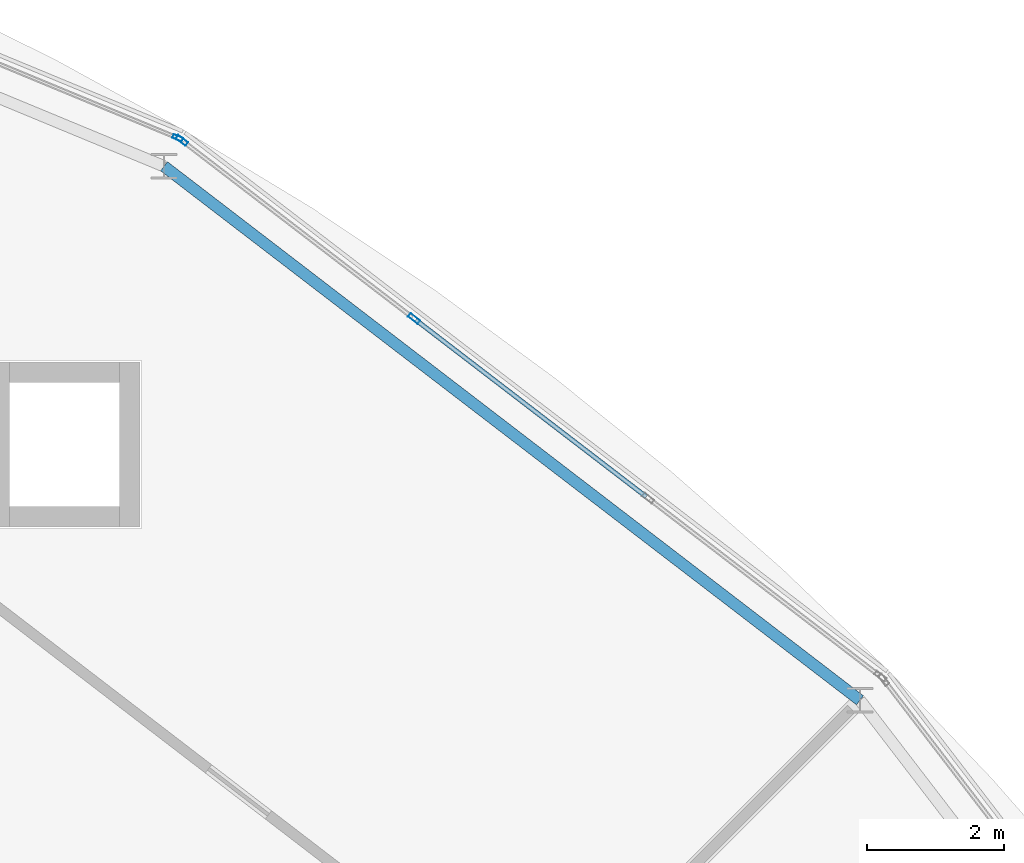
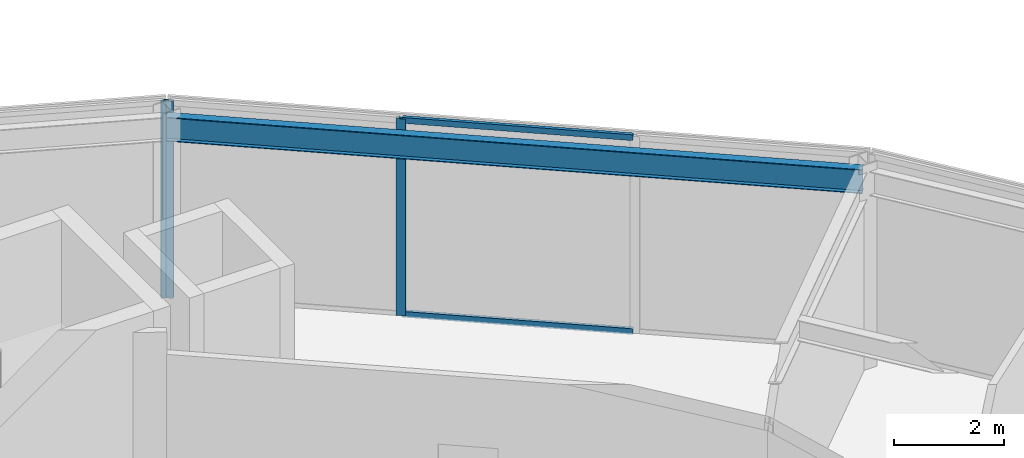
# One storey, part 85 of 157: 5 members, 1 beam, 2 elements without a shape of their own.
"""IFC4 building model written with IfcOpenShell, lengths in metres."""

from ifc_helpers import new_model, si_unit, direction, frame, origin, origin_2d, place, context, subcontext, project, spatial, hollow_rectangle, i_section, extrude, material, material_profile, profile_set, type_object, element, aggregate, save


model = new_model("IFC4")

# Units and contexts
model_context = context("Model", 3, precision=1e-05, world=origin(), true_north=direction((0.0, 1.0)))
body_context = subcontext(model_context, "Body", "Model", "MODEL_VIEW")
ifc_project = project(units=[si_unit("LENGTHUNIT", "METRE"), si_unit("AREAUNIT", "SQUARE_METRE"), si_unit("VOLUMEUNIT", "CUBIC_METRE"), si_unit("PLANEANGLEUNIT", "RADIAN"), si_unit("MASSUNIT", "GRAM", prefix="KILO")], contexts=[model_context])

# Site, building, storey
site_placement = place(None, origin())
site = spatial("IfcSite", under=ifc_project, at=site_placement, CompositionType="ELEMENT")
building_placement = place(site_placement, origin())
building = spatial("IfcBuilding", under=site, at=building_placement, Name="Almandine Court Research Institute", CompositionType="ELEMENT")
storey_placement = place(building_placement, frame((0.0, 0.0, 5.25)))
storey = spatial("IfcBuildingStorey", under=building, at=storey_placement, Name="L01", CompositionType="ELEMENT", Elevation=5.25)

# Beam
ifc_material_1 = material(Name="Steel ASTM A992 Grade 50", Category="steel")
ifc_material_profile_1 = material_profile(ifc_material_1, i_section(OverallWidth=0.166015625, OverallDepth=0.534912109375, WebThickness=0.010009765625, FlangeThickness=0.01708984375, at=origin_2d()), Name="W530x85")
ifc_profile_set_1 = profile_set([ifc_material_profile_1], Name="Steel ASTM A992 Grade 50")
beam_type = type_object("IfcBeamType", Name="Beam-G-05-E", PredefinedType="SPANDREL", material=ifc_profile_set_1)
beam_placement = place(storey_placement, frame((121.577880859375, 90.577880859375, 4.10205078125), z_axis=(-0.793360662587, 0.608751886289, 0.0), x_axis=(-0.608751886289, -0.793360662587, 0.0)))
element("IfcBeam", 1, at=beam_placement, inside=storey, type_object=beam_type, Name="L01 Drum OUT Ring Beam 03", PredefinedType="SPANDREL", context=body_context, shape_type="SweptSolid", body=[
    extrude(i_section(OverallWidth=0.166015625, OverallDepth=0.534912109375, WebThickness=0.010009765625, FlangeThickness=0.01708984375, at=origin_2d()), origin(), (0.0, 0.0, 1.0), 12.765869140625),
])

# Curtain wall, member
ifc_material_2 = material(Name="Unitised Curtain Wall Framing and Solar Glazing", Category="glass")
curtain_wall_type_1 = type_object("IfcCurtainWallType", Name="CW-CWG-20", PredefinedType="USERDEFINED", material=ifc_material_2)
curtain_wall_1_placement = place(storey_placement, origin())
curtain_wall_1 = element("IfcCurtainWall", 2, at=curtain_wall_1_placement, inside=storey, type_object=curtain_wall_type_1, Name="L01 Stacked-Ring Drum Outer Unitised Glazing 04", ObjectType="UNITISED GLAZING", PredefinedType="USERDEFINED")
ifc_material_3 = material(Name="Anodised Aluminium AW-6063-T6", Category="aluminium")
ifc_material_profile_2 = material_profile(ifc_material_3, hollow_rectangle(XDim=0.06005859375, YDim=0.14990234375, WallThickness=0.00390625, at=origin_2d()), Name="ALU RHS 60x150x4")
ifc_profile_set_2 = profile_set([ifc_material_profile_2], Name="Anodised Aluminium AW-6063-T6")
member_type_1 = type_object("IfcMemberType", Name="CWMul-60x150", PredefinedType="MULLION", material=ifc_profile_set_2)
member_1_placement = place(storey_placement, frame((111.649169921875, 98.760498046875, 0.0), z_axis=(0.0, 0.0, 1.0), x_axis=(0.382662689242, 0.923888124321, 0.0)))
member_1 = element("IfcMember", 3, at=member_1_placement, type_object=member_type_1, Name="CWG-20 mullion 4", PredefinedType="MULLION", context=body_context, shape_type="SweptSolid", body=[
    extrude(hollow_rectangle(XDim=0.06005859375, YDim=0.14990234375, WallThickness=0.00390625, at=origin_2d()), origin(), (0.0, 0.0, 1.0), 4.3701171875),
])
aggregate(curtain_wall_1, [member_1])

# Curtain wall, members
curtain_wall_type_2 = type_object("IfcCurtainWallType", Name="CW-CWJ-19", PredefinedType="USERDEFINED", material=ifc_material_2)
curtain_wall_2_placement = place(storey_placement, origin())
curtain_wall_2 = element("IfcCurtainWall", 4, at=curtain_wall_2_placement, inside=storey, type_object=curtain_wall_type_2, Name="L01 Stacked-Ring Drum Outer Solar Jali Screen 03", ObjectType="SOLAR JALI SCREEN", PredefinedType="USERDEFINED")
ifc_material_profile_3 = material_profile(ifc_material_3, hollow_rectangle(XDim=0.06494140625, YDim=0.179931640625, WallThickness=0.00390625, at=origin_2d()), Name="ALU RHS 65x180x4")
ifc_profile_set_3 = profile_set([ifc_material_profile_3], Name="Anodised Aluminium AW-6063-T6")
member_type_2 = type_object("IfcMemberType", Name="CWMul-65x180", PredefinedType="MULLION", material=ifc_profile_set_3)
member_2_placement = place(storey_placement, frame((111.708740234375, 98.72509765625, 0.0), z_axis=(0.0, 0.0, 1.0), x_axis=(0.608723313303, 0.793382586046, 0.0)))
member_2 = element("IfcMember", 5, at=member_2_placement, type_object=member_type_2, Name="CWJ-19 mullion 1", PredefinedType="MULLION", context=body_context, shape_type="SweptSolid", body=[
    extrude(hollow_rectangle(XDim=0.06494140625, YDim=0.179931640625, WallThickness=0.00390625, at=origin_2d()), origin(), (0.0, 0.0, 1.0), 4.3701171875),
])
member_3_placement = place(storey_placement, frame((115.088623046875, 96.132080078125, 0.0), z_axis=(0.0, 0.0, 1.0), x_axis=(0.608723313303, 0.793382586046, 0.0)))
member_3 = element("IfcMember", 6, at=member_3_placement, type_object=member_type_2, Name="CWJ-19 mullion 2", PredefinedType="MULLION", context=body_context, shape_type="SweptSolid", body=[
    extrude(hollow_rectangle(XDim=0.06494140625, YDim=0.179931640625, WallThickness=0.00390625, at=origin_2d()), origin(), (0.0, 0.0, 1.0), 4.3701171875),
])
ifc_material_profile_4 = material_profile(ifc_material_3, hollow_rectangle(XDim=0.06494140625, YDim=0.1298828125, WallThickness=0.00390625, at=origin_2d()), Name="ALU RHS 65x130x4")
ifc_profile_set_4 = profile_set([ifc_material_profile_4], Name="Anodised Aluminium AW-6063-T6")
member_type_3 = type_object("IfcMemberType", Name="CWTrn-65x130", PredefinedType="NOTDEFINED", material=ifc_profile_set_4)
member_4_placement = place(storey_placement, frame((115.114501953125, 96.1123046875, 0.032470703125), z_axis=(0.793368349931, -0.608741867566, 0.0), x_axis=(0.608741867566, 0.793368349931, 0.0)))
member_4 = element("IfcMember", 7, at=member_4_placement, type_object=member_type_3, Name="CWJ-19 transom 2.1", ObjectType="TRANSOM", PredefinedType="USERDEFINED", context=body_context, shape_type="SweptSolid", body=[
    extrude(hollow_rectangle(XDim=0.06494140625, YDim=0.1298828125, WallThickness=0.00390625, at=origin_2d()), origin(), (0.0, 0.0, 1.0), 4.2275390625),
])
member_5_placement = place(storey_placement, frame((115.114501953125, 96.1123046875, 4.33740234375), z_axis=(0.793368349931, -0.608741867566, 0.0), x_axis=(0.608741867566, 0.793368349931, 0.0)))
member_5 = element("IfcMember", 8, at=member_5_placement, type_object=member_type_3, Name="CWJ-19 transom 2.2", ObjectType="TRANSOM", PredefinedType="USERDEFINED", context=body_context, shape_type="SweptSolid", body=[
    extrude(hollow_rectangle(XDim=0.06494140625, YDim=0.1298828125, WallThickness=0.00390625, at=origin_2d()), origin(), (0.0, 0.0, 1.0), 4.2275390625),
])
aggregate(curtain_wall_2, [member_2, member_3, member_4, member_5])

save(model, "model.ifc")
